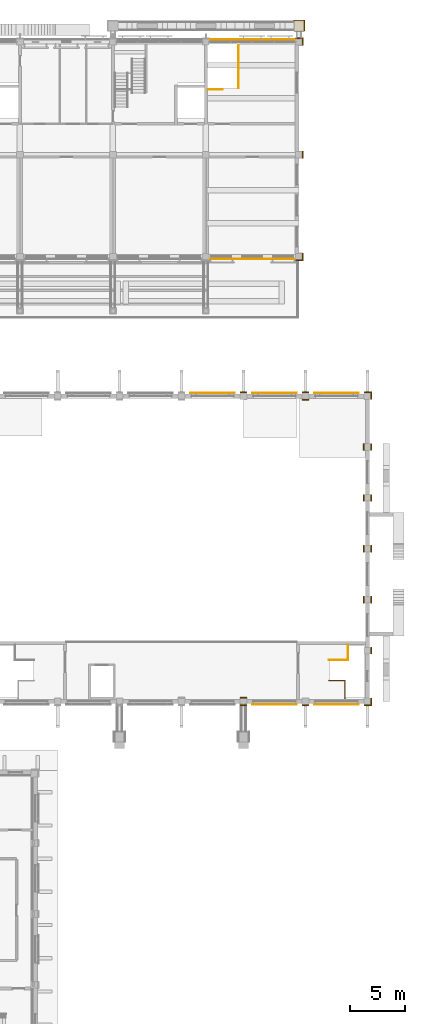
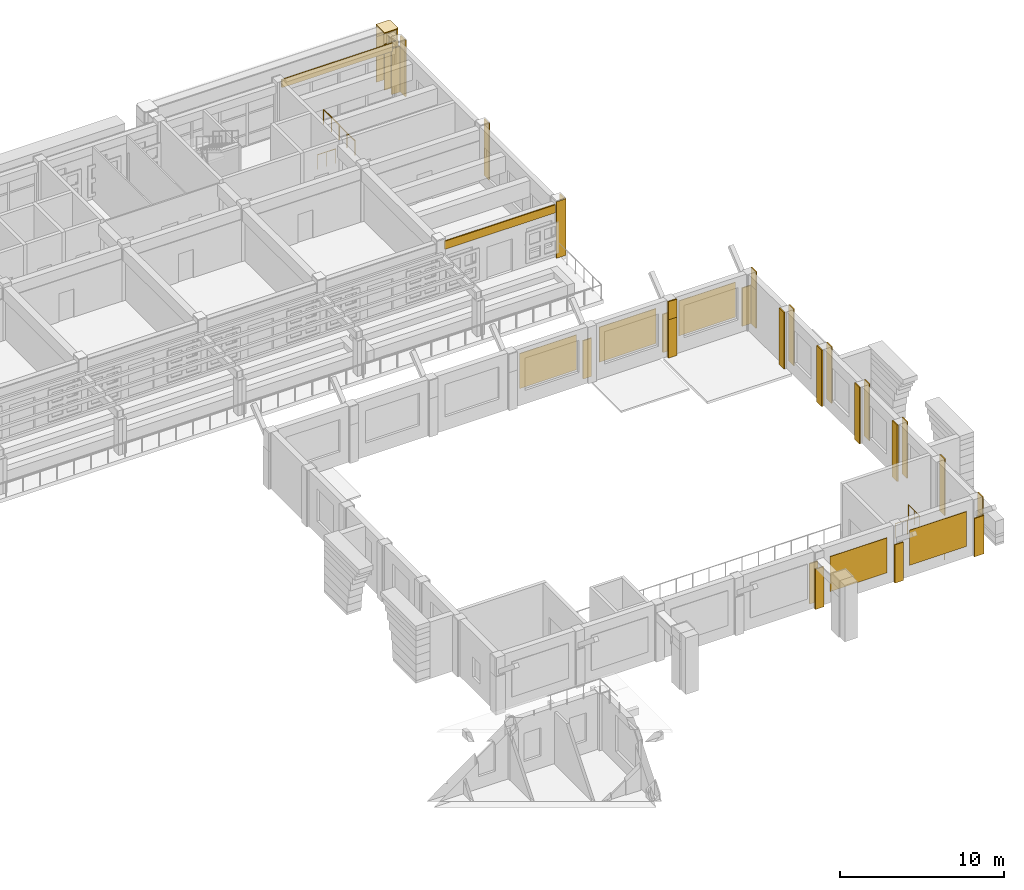
# One storey, part 65 of 68: 29 coverings, 5 shading devices, 4 railings.
"""IFC4 building model written with IfcOpenShell, lengths in metres."""

from ifc_helpers import new_model, si_unit, direction, frame, origin, origin_2d, place, context, subcontext, project, spatial, polyline, rectangle, circle, outline, extrude, material, layer, layer_set, type_object, element, save


model = new_model("IFC4")

# Units and contexts
model_context = context("Model", 3, precision=1e-05, world=origin(), true_north=direction((0.0, 1.0)))
body_context = subcontext(model_context, "Body", "Model", "MODEL_VIEW")
ifc_project = project(units=[si_unit("LENGTHUNIT", "METRE"), si_unit("AREAUNIT", "SQUARE_METRE"), si_unit("VOLUMEUNIT", "CUBIC_METRE"), si_unit("PLANEANGLEUNIT", "RADIAN"), si_unit("MASSUNIT", "GRAM", prefix="KILO")], contexts=[model_context])

# Site, building, storey
site_placement = place(None, origin())
site = spatial("IfcSite", under=ifc_project, at=site_placement, CompositionType="ELEMENT")
building_placement = place(site_placement, origin())
building = spatial("IfcBuilding", under=site, at=building_placement, Name="Wasatch Bagh Community Centre", CompositionType="ELEMENT")
storey_placement = place(building_placement, frame((0.0, 0.0, 8.39990234375)))
storey = spatial("IfcBuildingStorey", under=building, at=storey_placement, Name="L02", CompositionType="ELEMENT", Elevation=8.39990234375)

# Coverings
ifc_material_1 = material(Name="Cast stone cladding", Category="masonry")
ifc_layer_1 = layer(ifc_material_1, 0.080078125)
ifc_layer_set_1 = layer_set([ifc_layer_1], Name="Cast stone cladding")
covering_type_1 = type_object("IfcCoveringType", Name="CL-B7 beam facing", PredefinedType="CLADDING", material=ifc_layer_set_1)
covering_1_placement = place(storey_placement, frame((0.0, 0.0, 3.320068359375)))
element("IfcCovering", 1, at=covering_1_placement, inside=storey, type_object=covering_type_1, Name="Beam facing", PredefinedType="CLADDING", context=body_context, shape_type="SweptSolid", body=[
    extrude(outline(polyline([(131.5, 78.22509765625), (139.300048828125, 78.22509765625), (139.300048828125, 78.14501953125), (131.5, 78.14501953125), (131.5, 78.22509765625)])), origin(), (0.0, 0.0, 1.0), 0.60009765625),
])
covering_2_placement = place(storey_placement, frame((0.0, 0.0, 3.320068359375)))
element("IfcCovering", 2, at=covering_2_placement, inside=storey, type_object=covering_type_1, Name="Beam facing", PredefinedType="CLADDING", context=body_context, shape_type="SweptSolid", body=[
    extrude(outline(polyline([(131.5, 97.97509765625), (139.300048828125, 97.97509765625), (139.300048828125, 98.054931640625), (131.5, 98.054931640625), (131.5, 97.97509765625)])), origin(), (0.0, 0.0, 1.0), 0.60009765625),
])
ifc_layer_2 = layer(ifc_material_1, 0.080078125)
ifc_layer_set_2 = layer_set([ifc_layer_2], Name="Cast stone cladding")
covering_type_2 = type_object("IfcCoveringType", Name="CL-C1 column facing", PredefinedType="CLADDING", material=ifc_layer_set_2)
covering_3_placement = place(storey_placement, origin())
element("IfcCovering", 3, at=covering_3_placement, inside=storey, type_object=covering_type_2, Name="Column facing", PredefinedType="CLADDING", context=body_context, shape_type="SweptSolid", body=[
    extrude(outline(polyline([(140.1298828125, 98.800048828125), (140.1298828125, 98.719970703125), (139.14990234375, 98.719970703125), (139.14990234375, 98.800048828125), (140.050048828125, 98.800048828125), (140.050048828125, 99.699951171875), (139.14990234375, 99.699951171875), (139.14990234375, 99.780029296875), (140.1298828125, 99.780029296875), (140.1298828125, 99.699951171875), (140.1298828125, 98.800048828125)])), origin(), (0.0, 0.0, 1.0), 3.400146484375),
])
covering_4_placement = place(storey_placement, frame((0.0, 0.0, 3.400146484375)))
element("IfcCovering", 4, at=covering_4_placement, inside=storey, type_object=covering_type_2, Name="Column facing", PredefinedType="CLADDING", context=body_context, shape_type="SweptSolid", body=[
    extrude(outline(polyline([(140.050048828125, 99.699951171875), (139.14990234375, 99.699951171875), (139.14990234375, 99.780029296875), (140.1298828125, 99.780029296875), (140.1298828125, 99.699951171875), (140.1298828125, 98.800048828125), (140.050048828125, 98.800048828125), (140.050048828125, 99.699951171875)])), origin(), (0.0, 0.0, 1.0), 0.800048828125),
])
covering_5_placement = place(storey_placement, frame((0.0, 0.0, 4.2001953125)))
element("IfcCovering", 5, at=covering_5_placement, inside=storey, type_object=covering_type_2, Name="Column facing", PredefinedType="CLADDING", context=body_context, shape_type="SweptSolid", body=[
    extrude(outline(polyline([(139.14990234375, 98.719970703125), (139.14990234375, 99.780029296875), (140.050048828125, 99.780029296875), (140.050048828125, 99.699951171875), (140.1298828125, 99.699951171875), (140.1298828125, 98.800048828125), (140.050048828125, 98.800048828125), (140.050048828125, 98.719970703125), (139.14990234375, 98.719970703125)])), origin(), (0.0, 0.0, 1.0), 0.079833984375),
])
covering_6_placement = place(storey_placement, origin())
element("IfcCovering", 6, at=covering_6_placement, inside=storey, type_object=covering_type_2, Name="Column facing", PredefinedType="CLADDING", context=body_context, shape_type="SweptSolid", body=[
    extrude(outline(polyline([(139.89990234375, 87.300048828125), (139.89990234375, 87.89990234375), (139.97998046875, 87.89990234375), (139.97998046875, 87.300048828125), (139.89990234375, 87.300048828125)])), origin(), (0.0, 0.0, 1.0), 4.2001953125),
])
covering_7_placement = place(storey_placement, origin())
element("IfcCovering", 7, at=covering_7_placement, inside=storey, type_object=covering_type_2, Name="Column facing", PredefinedType="CLADDING", context=body_context, shape_type="SweptSolid", body=[
    extrude(outline(polyline([(139.89990234375, 98.10009765625), (139.300048828125, 98.10009765625), (139.300048828125, 98.179931640625), (139.97998046875, 98.179931640625), (139.97998046875, 97.5), (139.89990234375, 97.5), (139.89990234375, 98.10009765625)])), origin(), (0.0, 0.0, 1.0), 3.400146484375),
])
covering_8_placement = place(storey_placement, frame((0.0, 0.0, 3.400146484375)))
element("IfcCovering", 8, at=covering_8_placement, inside=storey, type_object=covering_type_2, Name="Column facing", PredefinedType="CLADDING", context=body_context, shape_type="SweptSolid", body=[
    extrude(outline(polyline([(139.89990234375, 97.5), (139.89990234375, 98.10009765625), (139.97998046875, 98.10009765625), (139.97998046875, 97.5), (139.89990234375, 97.5)])), origin(), (0.0, 0.0, 1.0), 0.800048828125),
])
covering_9_placement = place(storey_placement, origin())
element("IfcCovering", 9, at=covering_9_placement, inside=storey, type_object=covering_type_2, Name="Column facing", PredefinedType="CLADDING", context=body_context, shape_type="SweptSolid", body=[
    extrude(outline(polyline([(139.89990234375, 78.10009765625), (139.89990234375, 78.699951171875), (139.97998046875, 78.699951171875), (139.97998046875, 78.02001953125), (139.300048828125, 78.02001953125), (139.300048828125, 78.10009765625), (139.89990234375, 78.10009765625)])), origin(), (0.0, 0.0, 1.0), 4.2001953125),
])
covering_10_placement = place(storey_placement, origin())
element("IfcCovering", 10, at=covering_10_placement, inside=storey, type_object=covering_type_2, Name="Column facing", PredefinedType="CLADDING", context=body_context, shape_type="SweptSolid", body=[
    extrude(outline(polyline([(134.300048828125, 38.5), (134.300048828125, 38.580078125), (134.89990234375, 38.580078125), (134.89990234375, 38.5), (134.300048828125, 38.5)])), origin(), (0.0, 0.0, 1.0), 3.0),
])
covering_11_placement = place(storey_placement, origin())
element("IfcCovering", 11, at=covering_11_placement, inside=storey, type_object=covering_type_2, Name="Column facing", PredefinedType="CLADDING", context=body_context, shape_type="SweptSolid", body=[
    extrude(outline(polyline([(134.89990234375, 37.89990234375), (134.89990234375, 37.820068359375), (134.300048828125, 37.820068359375), (134.300048828125, 37.89990234375), (134.89990234375, 37.89990234375)])), origin(), (0.0, 0.0, 1.0), 3.0),
])
covering_12_placement = place(storey_placement, origin())
element("IfcCovering", 12, at=covering_12_placement, inside=storey, type_object=covering_type_2, Name="Column facing", PredefinedType="CLADDING", context=body_context, shape_type="SweptSolid", body=[
    extrude(outline(polyline([(139.89990234375, 37.89990234375), (140.5, 37.89990234375), (140.5, 37.820068359375), (139.89990234375, 37.820068359375), (139.89990234375, 37.89990234375)])), origin(), (0.0, 0.0, 1.0), 2.85009765625),
])
covering_13_placement = place(storey_placement, origin())
element("IfcCovering", 13, at=covering_13_placement, inside=storey, type_object=covering_type_2, Name="Column facing", PredefinedType="CLADDING", context=body_context, shape_type="SweptSolid", body=[
    extrude(outline(polyline([(146.10009765625, 37.89990234375), (146.10009765625, 38.5), (146.179931640625, 38.5), (146.179931640625, 37.820068359375), (145.5, 37.820068359375), (145.5, 37.89990234375), (146.10009765625, 37.89990234375)])), origin(), (0.0, 0.0, 1.0), 2.85009765625),
])
covering_14_placement = place(storey_placement, frame((0.0, 0.0, 2.85009765625)))
element("IfcCovering", 14, at=covering_14_placement, inside=storey, type_object=covering_type_2, Name="Column facing", PredefinedType="CLADDING", context=body_context, shape_type="SweptSolid", body=[
    extrude(outline(polyline([(146.10009765625, 37.89990234375), (146.10009765625, 38.5), (146.179931640625, 38.5), (146.179931640625, 37.89990234375), (146.10009765625, 37.89990234375)])), origin(), (0.0, 0.0, 1.0), 1.35009765625),
])
covering_15_placement = place(storey_placement, origin())
element("IfcCovering", 15, at=covering_15_placement, inside=storey, type_object=covering_type_2, Name="Column facing", PredefinedType="CLADDING", context=body_context, shape_type="SweptSolid", body=[
    extrude(outline(polyline([(134.89990234375, 66.10009765625), (134.300048828125, 66.10009765625), (134.300048828125, 66.179931640625), (134.89990234375, 66.179931640625), (134.89990234375, 66.10009765625)])), origin(), (0.0, 0.0, 1.0), 2.85009765625),
])
covering_16_placement = place(storey_placement, origin())
element("IfcCovering", 16, at=covering_16_placement, inside=storey, type_object=covering_type_2, Name="Column facing", PredefinedType="CLADDING", context=body_context, shape_type="SweptSolid", body=[
    extrude(outline(polyline([(139.89990234375, 66.10009765625), (139.89990234375, 66.179931640625), (140.5, 66.179931640625), (140.5, 66.10009765625), (139.89990234375, 66.10009765625)])), origin(), (0.0, 0.0, 1.0), 2.85009765625),
])
covering_17_placement = place(storey_placement, origin())
element("IfcCovering", 17, at=covering_17_placement, inside=storey, type_object=covering_type_2, Name="Column facing", PredefinedType="CLADDING", context=body_context, shape_type="SweptSolid", body=[
    extrude(outline(polyline([(140.5, 65.5), (140.5, 65.419921875), (139.89990234375, 65.419921875), (139.89990234375, 65.5), (140.5, 65.5)])), origin(), (0.0, 0.0, 1.0), 2.85009765625),
])
covering_18_placement = place(storey_placement, frame((0.0, 0.0, 2.85009765625)))
element("IfcCovering", 18, at=covering_18_placement, inside=storey, type_object=covering_type_2, Name="Column facing", PredefinedType="CLADDING", context=body_context, shape_type="SweptSolid", body=[
    extrude(outline(polyline([(139.89990234375, 65.5), (140.5, 65.5), (140.5, 65.419921875), (139.89990234375, 65.419921875), (139.89990234375, 65.5)])), origin(), (0.0, 0.0, 1.0), 1.35009765625),
])
covering_19_placement = place(storey_placement, origin())
element("IfcCovering", 19, at=covering_19_placement, inside=storey, type_object=covering_type_2, Name="Column facing", PredefinedType="CLADDING", context=body_context, shape_type="SweptSolid", body=[
    extrude(outline(polyline([(146.10009765625, 66.10009765625), (145.5, 66.10009765625), (145.5, 66.179931640625), (146.179931640625, 66.179931640625), (146.179931640625, 65.5), (146.10009765625, 65.5), (146.10009765625, 66.10009765625)])), origin(), (0.0, 0.0, 1.0), 2.85009765625),
])
covering_20_placement = place(storey_placement, frame((0.0, 0.0, 2.85009765625)))
element("IfcCovering", 20, at=covering_20_placement, inside=storey, type_object=covering_type_2, Name="Column facing", PredefinedType="CLADDING", context=body_context, shape_type="SweptSolid", body=[
    extrude(outline(polyline([(146.10009765625, 65.5), (146.10009765625, 66.10009765625), (146.179931640625, 66.10009765625), (146.179931640625, 65.5), (146.10009765625, 65.5)])), origin(), (0.0, 0.0, 1.0), 1.35009765625),
])
covering_21_placement = place(storey_placement, origin())
element("IfcCovering", 21, at=covering_21_placement, inside=storey, type_object=covering_type_2, Name="Column facing", PredefinedType="CLADDING", context=body_context, shape_type="SweptSolid", body=[
    extrude(outline(polyline([(146.10009765625, 42.5), (146.10009765625, 43.10009765625), (146.179931640625, 43.10009765625), (146.179931640625, 42.5), (146.10009765625, 42.5)])), origin(), (0.0, 0.0, 1.0), 4.2001953125),
])
covering_22_placement = place(storey_placement, origin())
element("IfcCovering", 22, at=covering_22_placement, inside=storey, type_object=covering_type_2, Name="Column facing", PredefinedType="CLADDING", context=body_context, shape_type="SweptSolid", body=[
    extrude(outline(polyline([(146.10009765625, 47.699951171875), (146.179931640625, 47.699951171875), (146.179931640625, 47.10009765625), (146.10009765625, 47.10009765625), (146.10009765625, 47.699951171875)])), origin(), (0.0, 0.0, 1.0), 4.2001953125),
])
covering_23_placement = place(storey_placement, origin())
element("IfcCovering", 23, at=covering_23_placement, inside=storey, type_object=covering_type_2, Name="Column facing", PredefinedType="CLADDING", context=body_context, shape_type="SweptSolid", body=[
    extrude(outline(polyline([(145.5, 47.10009765625), (145.419921875, 47.10009765625), (145.419921875, 47.699951171875), (145.5, 47.699951171875), (145.5, 47.10009765625)])), origin(), (0.0, 0.0, 1.0), 4.2001953125),
])
covering_24_placement = place(storey_placement, origin())
element("IfcCovering", 24, at=covering_24_placement, inside=storey, type_object=covering_type_2, Name="Column facing", PredefinedType="CLADDING", context=body_context, shape_type="SweptSolid", body=[
    extrude(outline(polyline([(146.10009765625, 52.300048828125), (146.179931640625, 52.300048828125), (146.179931640625, 51.699951171875), (146.10009765625, 51.699951171875), (146.10009765625, 52.300048828125)])), origin(), (0.0, 0.0, 1.0), 4.2001953125),
])
covering_25_placement = place(storey_placement, origin())
element("IfcCovering", 25, at=covering_25_placement, inside=storey, type_object=covering_type_2, Name="Column facing", PredefinedType="CLADDING", context=body_context, shape_type="SweptSolid", body=[
    extrude(outline(polyline([(145.5, 51.699951171875), (145.419921875, 51.699951171875), (145.419921875, 52.300048828125), (145.5, 52.300048828125), (145.5, 51.699951171875)])), origin(), (0.0, 0.0, 1.0), 4.2001953125),
])
covering_26_placement = place(storey_placement, origin())
element("IfcCovering", 26, at=covering_26_placement, inside=storey, type_object=covering_type_2, Name="Column facing", PredefinedType="CLADDING", context=body_context, shape_type="SweptSolid", body=[
    extrude(outline(polyline([(146.10009765625, 56.89990234375), (146.179931640625, 56.89990234375), (146.179931640625, 56.300048828125), (146.10009765625, 56.300048828125), (146.10009765625, 56.89990234375)])), origin(), (0.0, 0.0, 1.0), 4.2001953125),
])
covering_27_placement = place(storey_placement, origin())
element("IfcCovering", 27, at=covering_27_placement, inside=storey, type_object=covering_type_2, Name="Column facing", PredefinedType="CLADDING", context=body_context, shape_type="SweptSolid", body=[
    extrude(outline(polyline([(145.5, 56.300048828125), (145.419921875, 56.300048828125), (145.419921875, 56.89990234375), (145.5, 56.89990234375), (145.5, 56.300048828125)])), origin(), (0.0, 0.0, 1.0), 4.2001953125),
])
covering_28_placement = place(storey_placement, origin())
element("IfcCovering", 28, at=covering_28_placement, inside=storey, type_object=covering_type_2, Name="Column facing", PredefinedType="CLADDING", context=body_context, shape_type="SweptSolid", body=[
    extrude(outline(polyline([(146.10009765625, 61.5), (146.179931640625, 61.5), (146.179931640625, 60.89990234375), (146.10009765625, 60.89990234375), (146.10009765625, 61.5)])), origin(), (0.0, 0.0, 1.0), 4.2001953125),
])
covering_29_placement = place(storey_placement, origin())
element("IfcCovering", 29, at=covering_29_placement, inside=storey, type_object=covering_type_2, Name="Column facing", PredefinedType="CLADDING", context=body_context, shape_type="SweptSolid", body=[
    extrude(outline(polyline([(145.5, 60.89990234375), (145.419921875, 60.89990234375), (145.419921875, 61.5), (145.5, 61.5), (145.5, 60.89990234375)])), origin(), (0.0, 0.0, 1.0), 4.2001953125),
])

# Railings
ifc_material_2 = material(Name="Painted steel with jali infill", Category="steel")
railing_type_1 = type_object("IfcRailingType", Name="LW guard 1100", PredefinedType="GUARDRAIL", material=ifc_material_2)
railing_1_placement = place(storey_placement, frame((134.14990234375, 93.64990234375, 0.0)))
element("IfcRailing", 30, at=railing_1_placement, inside=storey, type_object=railing_type_1, Name="Guard ES", PredefinedType="GUARDRAIL", context=body_context, shape_type="SweptSolid", body=[
    extrude(circle(Radius=0.02490234375, at=origin_2d()), frame((0.0, 0.0, 1.0751953125), z_axis=(0.0, 1.0, 0.0), x_axis=(-1.0, 0.0, 0.0)), (0.0, 0.0, 1.0), 3.85009765625),
    extrude(circle(Radius=0.02001953125, at=origin_2d()), origin(), (0.0, 0.0, 1.0), 1.050048828125),
    extrude(circle(Radius=0.02001953125, at=origin_2d()), frame((0.0, 0.96240234375, 0.0)), (0.0, 0.0, 1.0), 1.050048828125),
    extrude(circle(Radius=0.02001953125, at=origin_2d()), frame((0.0, 1.925048828125, 0.0)), (0.0, 0.0, 1.0), 1.050048828125),
    extrude(circle(Radius=0.02001953125, at=origin_2d()), frame((0.0, 2.8876953125, 0.0)), (0.0, 0.0, 1.0), 1.050048828125),
    extrude(circle(Radius=0.02001953125, at=origin_2d()), frame((0.0, 3.85009765625, 0.0)), (0.0, 0.0, 1.0), 1.050048828125),
])
railing_2_placement = place(storey_placement, frame((131.39990234375, 93.5, 0.0)))
element("IfcRailing", 31, at=railing_2_placement, inside=storey, type_object=railing_type_1, Name="Guard ES", PredefinedType="GUARDRAIL", context=body_context, shape_type="SweptSolid", body=[
    extrude(circle(Radius=0.02490234375, at=origin_2d()), frame((0.0, 0.0, 1.0751953125), z_axis=(1.0, 0.0, 0.0), x_axis=(0.0, 1.0, 0.0)), (0.0, 0.0, 1.0), 1.300048828125),
    extrude(circle(Radius=0.02001953125, at=origin_2d()), origin(), (0.0, 0.0, 1.0), 1.050048828125),
    extrude(circle(Radius=0.02001953125, at=origin_2d()), frame((0.64990234375, 0.0, 0.0)), (0.0, 0.0, 1.0), 1.050048828125),
    extrude(circle(Radius=0.02001953125, at=origin_2d()), frame((1.300048828125, 0.0, 0.0)), (0.0, 0.0, 1.0), 1.050048828125),
])
ifc_material_3 = material(Name="ASTM A36 steel", Category="steel")
railing_type_2 = type_object("IfcRailingType", Name="SH guard", PredefinedType="GUARDRAIL", material=ifc_material_3)
railing_3_placement = place(storey_placement, frame((143.758056640625, 38.449951171875, 0.0)))
element("IfcRailing", 32, at=railing_3_placement, inside=storey, type_object=railing_type_2, Name="GUARD ST2", PredefinedType="GUARDRAIL", context=body_context, shape_type="SweptSolid", body=[
    extrude(circle(Radius=0.02392578125, at=origin_2d()), frame((0.0, 0.0, 1.076171875), z_axis=(0.0, 1.0, 0.0), x_axis=(-1.0, 0.0, 0.0)), (0.0, 0.0, 1.0), 1.650146484375),
    extrude(circle(Radius=0.02392578125, at=origin_2d()), frame((0.0, 1.650146484375, 1.076171875), z_axis=(-1.0, 0.0, 0.0), x_axis=(0.0, -1.0, 0.0)), (0.0, 0.0, 1.0), 1.43798828125),
    extrude(circle(Radius=0.02099609375, at=origin_2d()), origin(), (0.0, 0.0, 1.0), 1.052001953125),
    extrude(circle(Radius=0.02099609375, at=origin_2d()), frame((0.0, 0.8251953125, 0.0)), (0.0, 0.0, 1.0), 1.052001953125),
    extrude(circle(Radius=0.02099609375, at=origin_2d()), frame((0.0, 1.650146484375, 0.0)), (0.0, 0.0, 1.0), 1.052001953125),
    extrude(circle(Radius=0.02099609375, at=origin_2d()), frame((-0.718994140625, 1.650146484375, 0.0)), (0.0, 0.0, 1.0), 1.052001953125),
    extrude(circle(Radius=0.02099609375, at=origin_2d()), frame((-1.43798828125, 1.650146484375, 0.0)), (0.0, 0.0, 1.0), 1.052001953125),
])
railing_4_placement = place(storey_placement, frame((144.030029296875, 43.300048828125, 0.0)))
element("IfcRailing", 33, at=railing_4_placement, inside=storey, type_object=railing_type_2, Name="GUARD ST2", PredefinedType="GUARDRAIL", context=body_context, shape_type="SweptSolid", body=[
    extrude(circle(Radius=0.02392578125, at=origin_2d()), frame((0.0, 0.0, 1.076171875), z_axis=(0.0, -1.0, 0.0), x_axis=(1.0, 0.0, 0.0)), (0.0, 0.0, 1.0), 1.35009765625),
    extrude(circle(Radius=0.02392578125, at=origin_2d()), frame((0.0, -1.35009765625, 1.076171875), z_axis=(-1.0, 0.0, 0.0), x_axis=(0.0, -1.0, 0.0)), (0.0, 0.0, 1.0), 1.7099609375),
    extrude(circle(Radius=0.02099609375, at=origin_2d()), origin(), (0.0, 0.0, 1.0), 1.052001953125),
    extrude(circle(Radius=0.02099609375, at=origin_2d()), frame((0.0, -0.675048828125, 0.0)), (0.0, 0.0, 1.0), 1.052001953125),
    extrude(circle(Radius=0.02099609375, at=origin_2d()), frame((0.0, -1.35009765625, 0.0)), (0.0, 0.0, 1.0), 1.052001953125),
    extrude(circle(Radius=0.02099609375, at=origin_2d()), frame((-0.85498046875, -1.35009765625, 0.0)), (0.0, 0.0, 1.0), 1.052001953125),
    extrude(circle(Radius=0.02099609375, at=origin_2d()), frame((-1.7099609375, -1.35009765625, 0.0)), (0.0, 0.0, 1.0), 1.052001953125),
])

# Shading devices
ifc_material_4 = material(Name="Precast concrete C40/50", Category="concrete")
ifc_layer_3 = layer(ifc_material_4, 0.0400390625)
ifc_layer_set_3 = layer_set([ifc_layer_3], Name="Precast concrete C40/50")
shading_device_type = type_object("IfcShadingDeviceType", Name="SH jali panel 40", PredefinedType="USERDEFINED", material=ifc_layer_set_3)
for number, where, z_axis, x_axis, name in (
    (34, (137.39990234375, 37.929931640625, 0.900146484375), (0.0, 0.0, 1.0), (1.0, 0.0, 0.0), "Jali shutter"),
    (35, (143.0, 37.929931640625, 0.900146484375), (0.0, 0.0, 1.0), (1.0, 0.0, 0.0), "Jali shutter"),
    (36, (131.800048828125, 66.070068359375, 0.900146484375), (0.0, 0.0, 1.0), (1.0, 0.0, 0.0), "Jali shutter"),
    (37, (137.39990234375, 66.070068359375, 0.900146484375), (0.0, 0.0, 1.0), (1.0, 0.0, 0.0), "Jali shutter"),
    (38, (143.0, 66.070068359375, 0.900146484375), (0.0, 0.0, 1.0), (1.0, 0.0, 0.0), "Jali shutter"),
):
    element("IfcShadingDevice", number, at=place(storey_placement, frame(where, z_axis=z_axis, x_axis=x_axis)), inside=storey, type_object=shading_device_type, Name=name, ObjectType="Jali panel", PredefinedType="USERDEFINED", context=body_context, shape_type="SweptSolid", body=[
        extrude(rectangle(XDim=4.0, YDim=0.0400390625, at=origin_2d()), origin(), (0.0, 0.0, 1.0), 2.60009765625),
    ])

save(model, "model.ifc")
